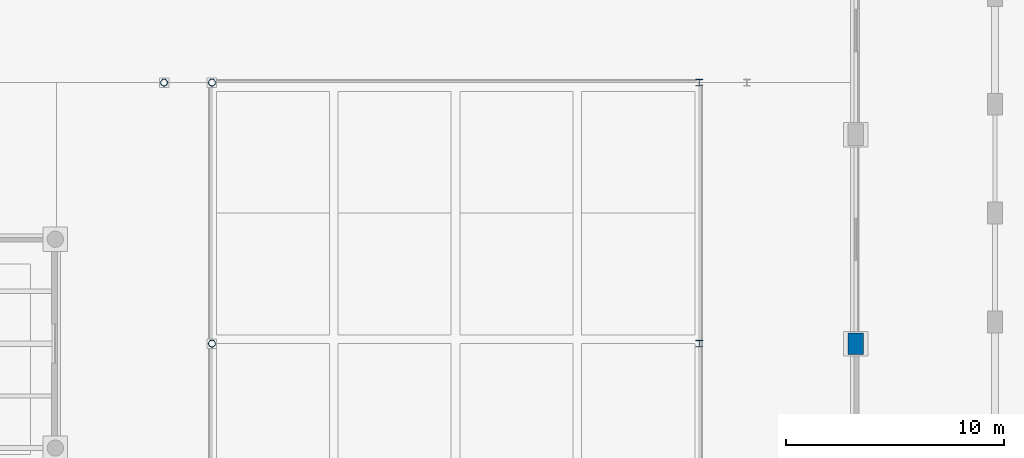
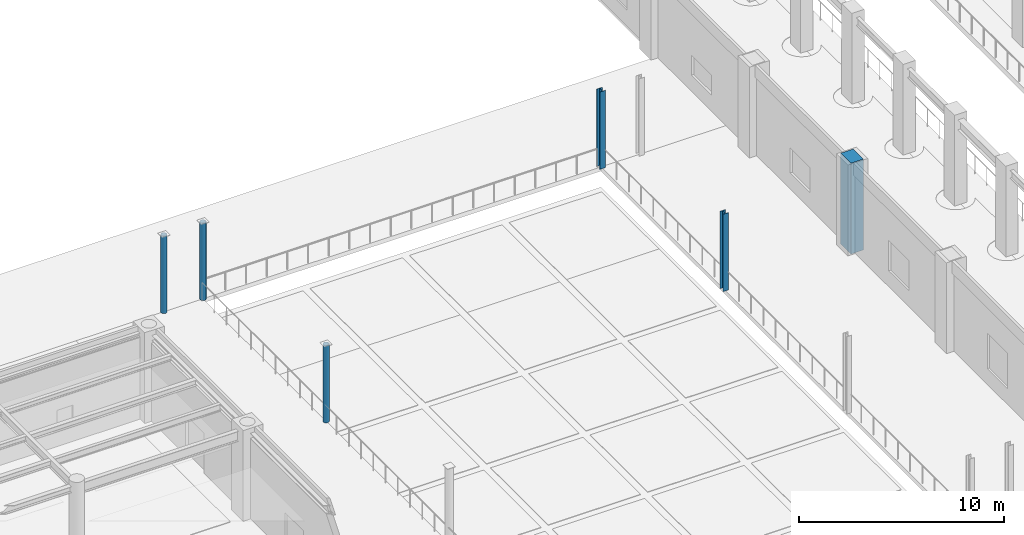
# One storey, part 16 of 164: 6 columns.
"""IFC4 building model written with IfcOpenShell, lengths in metres."""

import ifcopenshell
import ifcopenshell.guid

model = None  # the IFC model being written
_history = None  # IfcOwnerHistory: only IFC2X3 demands one
_inside = {}  # id of a spatial element -> (the spatial element, [elements in it])
_under = {}  # id of a project, library or spatial element -> (it, [spatial elements below it])
_declared = {}  # id of a project -> (the project, [libraries it declares])
_typed = {}  # id of a type object -> (the type object, [elements of that type])
_made_of = {}  # id of a material, layer set ... -> (it, [elements and type objects made of it])


def new_model(schema):
    """Start an empty IFC model of exactly this schema.

    Asked for "IFC4X3", IfcOpenShell would pick the latest addendum, in which some entities
    have other attributes; the version numbers below select the first issue.
    IFC2X3 requires an IfcOwnerHistory on every rooted entity: one is made here for all.
    """
    global model, _history
    if schema == "IFC4X3":
        model = ifcopenshell.file(schema_version=(4, 3, 0, 0))
    else:
        model = ifcopenshell.file(schema=schema)
    _inside.clear()
    _under.clear()
    _declared.clear()
    _typed.clear()
    _made_of.clear()
    _history = None
    if model.schema == "IFC2X3":
        org = make("IfcOrganization", Name="unknown")
        user = make(
            "IfcPersonAndOrganization",
            ThePerson=make("IfcPerson", FamilyName="unknown"),
            TheOrganization=org,
        )
        app = make(
            "IfcApplication",
            ApplicationDeveloper=org,
            Version="unknown",
            ApplicationFullName="unknown",
            ApplicationIdentifier="unknown",
        )
        _history = make(
            "IfcOwnerHistory",
            OwningUser=user,
            OwningApplication=app,
            ChangeAction="ADDED",
            CreationDate=0,
        )
    return model


def make(cls, **values):
    """One entity of the class cls with the attributes given. An attribute that is None is left unset."""
    return model.create_entity(
        cls, **{name: value for name, value in values.items() if value is not None}
    )


def rooted(cls, **values):
    """An entity with a GlobalId (a new one), such as an element, a storey or a relation."""
    return make(cls, GlobalId=ifcopenshell.guid.new(), OwnerHistory=_history, **values)


def si_unit(unit_type, name, prefix=None):
    """IfcSIUnit, for example si_unit("LENGTHUNIT", "METRE", prefix="MILLI")."""
    return make("IfcSIUnit", UnitType=unit_type, Prefix=prefix, Name=name)


def assignment(units):
    """IfcUnitAssignment: the units of a project."""
    return None if units is None else make("IfcUnitAssignment", Units=units)


def point(xyz):
    """IfcCartesianPoint."""
    return None if xyz is None else make("IfcCartesianPoint", Coordinates=xyz)


def direction(xyz):
    """IfcDirection."""
    return None if xyz is None else make("IfcDirection", DirectionRatios=xyz)


def frame(location, z_axis=None, x_axis=None):
    """IfcAxis2Placement3D, a coordinate frame: its origin and axes. An axis left out is left unset."""
    return make(
        "IfcAxis2Placement3D",
        Location=point(location),
        Axis=direction(z_axis),
        RefDirection=direction(x_axis),
    )


def frame_2d(location, x_axis=None):
    """IfcAxis2Placement2D, a coordinate frame in the plane: its origin and x axis."""
    return make(
        "IfcAxis2Placement2D", Location=point(location), RefDirection=direction(x_axis)
    )


def origin():
    """The frame at (0, 0, 0) with its axes left unset."""
    return frame((0.0, 0.0, 0.0))


def origin_2d():
    """The frame at (0, 0) in the plane with its x axis left unset."""
    return frame_2d((0.0, 0.0))


def place(relative_to, where):
    """IfcLocalPlacement: puts the frame where relative to a parent placement (None: the world)."""
    return make(
        "IfcLocalPlacement", PlacementRelTo=relative_to, RelativePlacement=where
    )


def context(
    kind, dimensions, precision=None, world=None, true_north=None, identifier=None
):
    """IfcGeometricRepresentationContext, for example the 3D "Model" context."""
    return make(
        "IfcGeometricRepresentationContext",
        ContextIdentifier=identifier,
        ContextType=kind,
        CoordinateSpaceDimension=dimensions,
        Precision=precision,
        WorldCoordinateSystem=world,
        TrueNorth=true_north,
    )


def subcontext(parent, identifier, kind, view, scale=None):
    """IfcGeometricRepresentationSubContext, for example "Body" below "Model"."""
    return make(
        "IfcGeometricRepresentationSubContext",
        ContextIdentifier=identifier,
        ContextType=kind,
        ParentContext=parent,
        TargetScale=scale,
        TargetView=view,
    )


def project(units=None, contexts=None):
    """IfcProject with its units and contexts."""
    return rooted(
        "IfcProject",
        Name="project",
        RepresentationContexts=contexts,
        UnitsInContext=assignment(units),
    )


def spatial(cls, under=None, at=None, **own):
    """A site, building, storey or space (cls), placed at a placement, below another one or the project."""
    s = rooted(cls, ObjectPlacement=at, **own)
    if under is not None:
        _under.setdefault(under.id(), (under, []))[1].append(s)
    return s


def profile(cls, at=None, kind="AREA", **sizes):
    """A parametric profile (cls). Its sizes go by their IFC names, for example OverallWidth=200.0."""
    return make(cls, ProfileType=kind, Position=at, **sizes)


def rectangle(**sizes):
    """IfcRectangleProfileDef."""
    return profile("IfcRectangleProfileDef", **sizes)


def hollow_circle(**sizes):
    """IfcCircleHollowProfileDef."""
    return profile("IfcCircleHollowProfileDef", **sizes)


def i_section(**sizes):
    """IfcIShapeProfileDef."""
    return profile("IfcIShapeProfileDef", **sizes)


def extrude(swept, where, along, depth):
    """IfcExtrudedAreaSolid: the profile swept, set in the frame where, extruded along a direction by depth."""
    return make(
        "IfcExtrudedAreaSolid",
        SweptArea=swept,
        Position=where,
        ExtrudedDirection=direction(along),
        Depth=depth,
    )


def shape(context_of_items, identifier, shape_type, items):
    """IfcShapeRepresentation: the items that make up one representation, for example the "Body"."""
    return make(
        "IfcShapeRepresentation",
        ContextOfItems=context_of_items,
        RepresentationIdentifier=identifier,
        RepresentationType=shape_type,
        Items=items,
    )


def material(Name=None, Category=None):
    """IfcMaterial."""
    return make("IfcMaterial", Name=Name, Category=Category)


def material_profile(
    of_material, cross_section, Name=None, Category=None, Priority=None
):
    """IfcMaterialProfile: a cross section and its material."""
    return make(
        "IfcMaterialProfile",
        Name=Name,
        Material=of_material,
        Profile=cross_section,
        Priority=Priority,
        Category=Category,
    )


def profile_set(profiles, Name=None, composite=None):
    """IfcMaterialProfileSet."""
    return make(
        "IfcMaterialProfileSet",
        Name=Name,
        MaterialProfiles=profiles,
        CompositeProfile=composite,
    )


def made_of(thing, what):
    """Note that an element or type object is made of a material, layer set ...; save() writes the relation."""
    if what is not None:
        _made_of.setdefault(what.id(), (what, []))[1].append(thing)
    return thing


def type_object(cls, material=None, **own):
    """A type object (cls), such as IfcWallType, which elements share."""
    return made_of(rooted(cls, **own), material)


def element(
    cls,
    number,
    at=None,
    inside=None,
    cuts=None,
    type_object=None,
    material=None,
    context=None,
    identifier="Body",
    shape_type=None,
    held_by="IfcProductDefinitionShape",
    body=None,
    shapes=None,
    **own,
):
    """One element of the class cls, such as IfcWall. Its Tag is "e" and its number.

    at: its placement. inside: the storey or other place that contains it. cuts: it is an
    opening in that element (IfcRelVoidsElement). A single representation is given by context,
    identifier, shape_type and body (its items); several are given by shapes. held_by: the class
    of the entity that holds the representations. save() writes the other relations.
    """
    e = rooted(cls, Tag="e%d" % number, ObjectPlacement=at, **own)
    if body is not None:
        shapes = [shape(context, identifier, shape_type, body)]
    if shapes is not None:
        e.Representation = make(held_by, Representations=shapes)
    if inside is not None:
        _inside.setdefault(inside.id(), (inside, []))[1].append(e)
    if cuts is not None:
        rooted(
            "IfcRelVoidsElement", RelatingBuildingElement=cuts, RelatedOpeningElement=e
        )
    if type_object is not None:
        _typed.setdefault(type_object.id(), (type_object, []))[1].append(e)
    return made_of(e, material)


def aggregate(whole, parts):
    """IfcRelAggregates: a whole, such as a stair, and the parts it consists of."""
    return rooted("IfcRelAggregates", RelatingObject=whole, RelatedObjects=parts)


def save(model, path):
    """Write the relations noted so far, then the file.

    IfcRelAggregates (storeys below a building ...), IfcRelContainedInSpatialStructure (elements
    in a storey), IfcRelDefinesByType, IfcRelAssociatesMaterial and IfcRelDeclares: one each for
    every whole, place, type object, material and project.
    """
    for whole, parts in _under.values():
        aggregate(whole, parts)
    for where, things in _inside.values():
        rooted(
            "IfcRelContainedInSpatialStructure",
            RelatedElements=things,
            RelatingStructure=where,
        )
    for kind, things in _typed.values():
        rooted("IfcRelDefinesByType", RelatedObjects=things, RelatingType=kind)
    for what, things in _made_of.values():
        rooted("IfcRelAssociatesMaterial", RelatedObjects=things, RelatingMaterial=what)
    for by, libraries in _declared.values():
        rooted("IfcRelDeclares", RelatingContext=by, RelatedDefinitions=libraries)
    model.write(path)


model = new_model("IFC4")

# Units and contexts
model_context = context("Model", 3, precision=1e-05, world=origin(), true_north=direction((0.0, 1.0)))
body_context = subcontext(model_context, "Body", "Model", "MODEL_VIEW")
ifc_project = project(units=[si_unit("LENGTHUNIT", "METRE"), si_unit("AREAUNIT", "SQUARE_METRE"), si_unit("VOLUMEUNIT", "CUBIC_METRE"), si_unit("PLANEANGLEUNIT", "RADIAN"), si_unit("MASSUNIT", "GRAM", prefix="KILO")], contexts=[model_context])

# Site, building, storey
site_placement = place(None, origin())
site = spatial("IfcSite", under=ifc_project, at=site_placement, CompositionType="ELEMENT")
building_placement = place(site_placement, origin())
building = spatial("IfcBuilding", under=site, at=building_placement, Name="Mavantir Sound Aquarium", CompositionType="ELEMENT")
storey_placement = place(building_placement, origin())
storey = spatial("IfcBuildingStorey", under=building, at=storey_placement, Name="L00", CompositionType="ELEMENT", Elevation=0.0)

# Columns
ifc_material_1 = material(Name="Hollow Structural Steel ASTM A500 GrC", Category="steel")
ifc_material_profile_1 = material_profile(ifc_material_1, hollow_circle(Radius=0.161865234375, WallThickness=0.012451171875, at=origin_2d()), Name="CHS 323.9X12.5")
ifc_profile_set_1 = profile_set([ifc_material_profile_1], Name="Hollow Structural Steel ASTM A500 GrC")
column_type_1 = type_object("IfcColumnType", Name="COL-CHS324-E", PredefinedType="COLUMN", material=ifc_profile_set_1)
for number, where, z_axis, x_axis, name in (
    (1, (72.0, 64.800048828125, 0.0), (0.0, 0.0, 1.0), (1.0, 0.0, 0.0), "Tidal water court colonnade pier 3"),
    (2, (72.0, 76.800048828125, 0.0), (0.0, 0.0, 1.0), (1.0, 0.0, 0.0), "Tidal water court colonnade pier 4"),
    (3, (69.800048828125, 76.800048828125, 0.0), (0.0, 0.0, 1.0), (1.0, 0.0, 0.0), "Tidal water court colonnade pier 6"),
):
    element("IfcColumn", number, at=place(storey_placement, frame(where, z_axis=z_axis, x_axis=x_axis)), inside=storey, type_object=column_type_1, Name=name, PredefinedType="COLUMN", context=body_context, shape_type="SweptSolid", body=[
        extrude(hollow_circle(Radius=0.161865234375, WallThickness=0.012451171875, at=origin_2d()), origin(), (0.0, 0.0, 1.0), 4.60009765625),
    ])
ifc_material_2 = material(Name="Concrete C40/50", Category="concrete")
ifc_material_profile_2 = material_profile(ifc_material_2, rectangle(XDim=0.699951171875, YDim=1.0, at=origin_2d()), Name="RC 700X1000")
ifc_profile_set_2 = profile_set([ifc_material_profile_2], Name="Concrete C40/50")
column_type_2 = type_object("IfcColumnType", Name="COL-RC700X1000-I", PredefinedType="COLUMN", material=ifc_profile_set_2)
column_placement = place(storey_placement, frame((101.60009765625, 64.800048828125, 0.0), z_axis=(0.0, 0.0, 1.0), x_axis=(1.0, 0.0, 0.0)))
element("IfcColumn", 4, at=column_placement, inside=storey, type_object=column_type_2, Name="L00 column RC-C710 (V4)", PredefinedType="COLUMN", context=body_context, shape_type="SweptSolid", body=[
    extrude(rectangle(XDim=0.699951171875, YDim=1.0, at=origin_2d()), origin(), (0.0, 0.0, 1.0), 5.39990234375),
])
ifc_material_3 = material(Name="Structural Steel ASTM A992 Gr50", Category="steel")
ifc_material_profile_3 = material_profile(ifc_material_3, i_section(OverallWidth=0.304931640625, OverallDepth=0.30810546875, WebThickness=0.010009765625, FlangeThickness=0.015380859375, FilletRadius=0.014892578125, at=origin_2d()), Name="W310X97")
ifc_profile_set_3 = profile_set([ifc_material_profile_3], Name="Structural Steel ASTM A992 Gr50")
column_type_3 = type_object("IfcColumnType", Name="COL-W310X97-E", PredefinedType="COLUMN", material=ifc_profile_set_3)
for number, where, z_axis, x_axis, name in (
    (5, (94.39990234375, 64.800048828125, 0.0), (0.0, 0.0, 1.0), (1.0, 0.0, 0.0), "Tidal water court colonnade pier 9"),
    (6, (94.39990234375, 76.800048828125, 0.0), (0.0, 0.0, 1.0), (1.0, 0.0, 0.0), "Tidal water court colonnade pier 10"),
):
    element("IfcColumn", number, at=place(storey_placement, frame(where, z_axis=z_axis, x_axis=x_axis)), inside=storey, type_object=column_type_3, Name=name, PredefinedType="COLUMN", context=body_context, shape_type="SweptSolid", body=[
        extrude(i_section(OverallWidth=0.304931640625, OverallDepth=0.30810546875, WebThickness=0.010009765625, FlangeThickness=0.015380859375, FilletRadius=0.014892578125, at=origin_2d()), origin(), (0.0, 0.0, 1.0), 4.60009765625),
    ])

save(model, "model.ifc")
